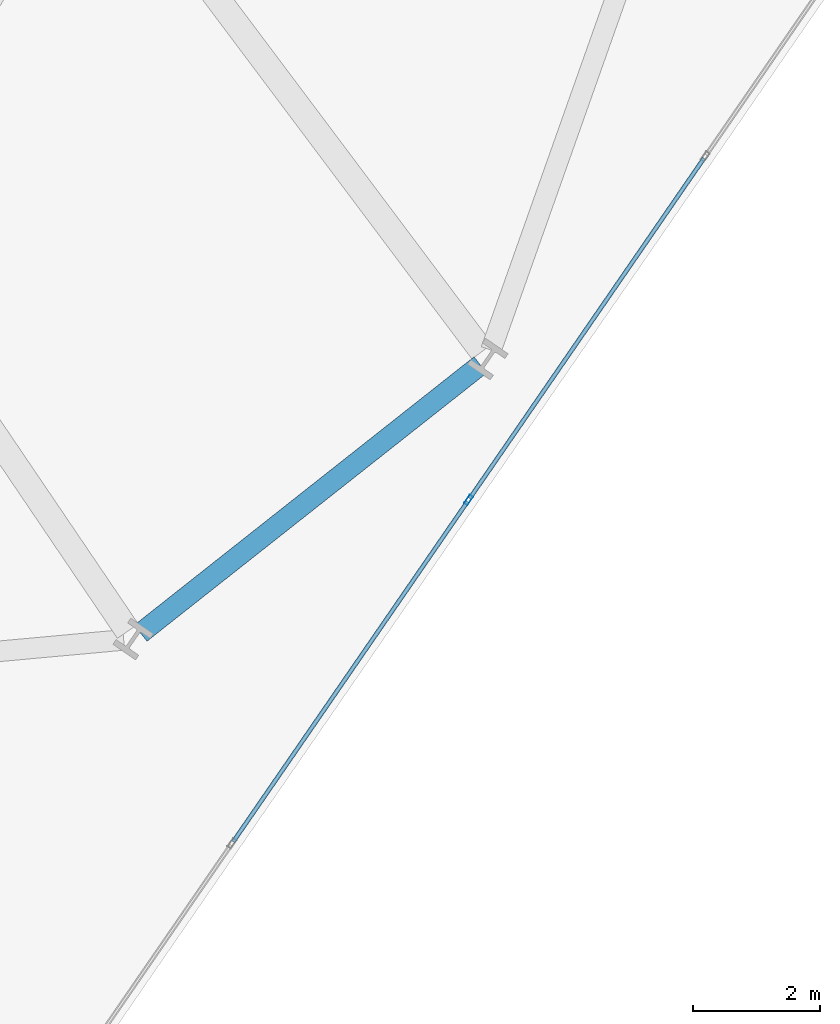
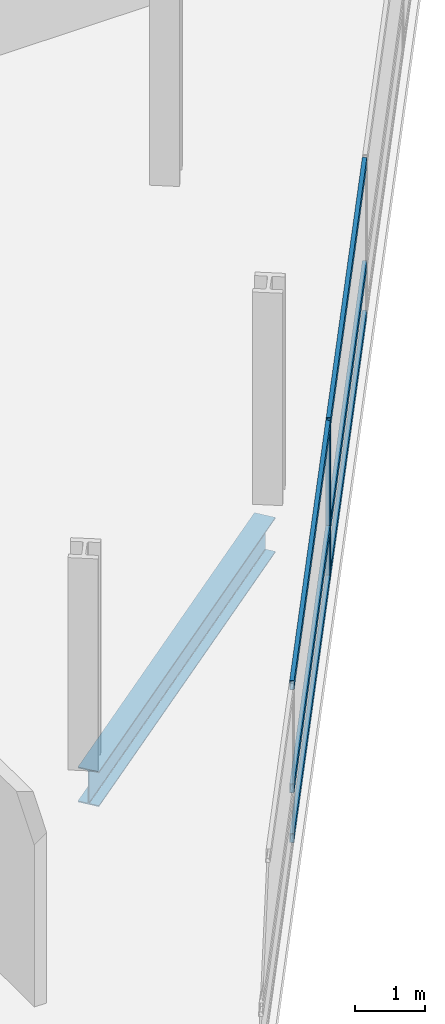
# One storey, part 7 of 25: 7 members, 1 beam, 1 element without a shape of its own.
"""IFC4 building model written with IfcOpenShell, lengths in metres."""

from ifc_helpers import new_model, si_unit, direction, frame, origin, origin_2d, place, context, subcontext, project, spatial, hollow_rectangle, i_section, extrude, material, layer, layer_set, material_profile, profile_set, type_object, element, aggregate, save


model = new_model("IFC4")

# Units and contexts
model_context = context("Model", 3, precision=1e-05, world=origin(), true_north=direction((0.0, 1.0)))
body_context = subcontext(model_context, "Body", "Model", "MODEL_VIEW")
ifc_project = project(units=[si_unit("LENGTHUNIT", "METRE"), si_unit("AREAUNIT", "SQUARE_METRE"), si_unit("VOLUMEUNIT", "CUBIC_METRE"), si_unit("PLANEANGLEUNIT", "RADIAN"), si_unit("MASSUNIT", "GRAM", prefix="KILO")], contexts=[model_context])

# Site, building, storey
site_placement = place(None, origin())
site = spatial("IfcSite", under=ifc_project, at=site_placement, CompositionType="ELEMENT")
building_placement = place(site_placement, origin())
building = spatial("IfcBuilding", under=site, at=building_placement, Name="Varnelok Gate Tower", CompositionType="ELEMENT")
storey_placement = place(building_placement, frame((0.0, 0.0, 34.39990234375)))
storey = spatial("IfcBuildingStorey", under=building, at=storey_placement, Name="L07", CompositionType="ELEMENT", Elevation=34.39990234375)

# Beam
ifc_material_1 = material(Name="Structural Steel ASTM A992 Grade 50", Category="steel")
ifc_material_profile_1 = material_profile(ifc_material_1, i_section(OverallWidth=0.323974609375, OverallDepth=0.611083984375, WebThickness=0.0126953125, FlangeThickness=0.01904296875, FilletRadius=0.01806640625, at=origin_2d()), Name="W24X104")
ifc_profile_set_1 = profile_set([ifc_material_profile_1], Name="Structural Steel ASTM A992 Grade 50")
beam_type = type_object("IfcBeamType", Name="BM-SPN-W24X104", PredefinedType="SPANDREL", material=ifc_profile_set_1)
beam_placement = place(storey_placement, frame((66.202392578125, 1.045654296875, -0.555419921875), z_axis=(0.784860761341, 0.619672159538, 0.0), x_axis=(-0.619672159538, 0.784860761341, 0.0)))
element("IfcBeam", 1, at=beam_placement, inside=storey, type_object=beam_type, Name="L07 Perimeter Spandrel Beam 6", PredefinedType="SPANDREL", context=body_context, shape_type="SweptSolid", body=[
    extrude(i_section(OverallWidth=0.323974609375, OverallDepth=0.611083984375, WebThickness=0.0126953125, FlangeThickness=0.01904296875, FilletRadius=0.01806640625, at=origin_2d()), origin(), (0.0, 0.0, 1.0), 6.81640625),
])

# Curtain wall, members
ifc_material_2 = material(Name="Anodized Aluminum Alloy 6063-T6", Category="aluminium")
ifc_layer = layer(ifc_material_2, 0.179931640625)
ifc_layer_set = layer_set([ifc_layer], Name="Anodized Aluminum Alloy 6063-T6")
curtain_wall_type = type_object("IfcCurtainWallType", Name="CW3-HOTEL-VISION", PredefinedType="USERDEFINED", material=ifc_layer_set)
curtain_wall_placement = place(storey_placement, origin())
curtain_wall = element("IfcCurtainWall", 2, at=curtain_wall_placement, inside=storey, type_object=curtain_wall_type, Name="L07 East End Vision Curtain Wall", ObjectType="UNITISED CURTAIN WALL", PredefinedType="USERDEFINED")
ifc_material_profile_2 = material_profile(ifc_material_2, hollow_rectangle(XDim=0.06494140625, YDim=0.159912109375, WallThickness=0.00390625, at=origin_2d()), Name="ALU160X65X4")
ifc_profile_set_2 = profile_set([ifc_material_profile_2], Name="Anodized Aluminum Alloy 6063-T6")
member_type_1 = type_object("IfcMemberType", Name="CW-MULL-160", PredefinedType="MULLION", material=ifc_profile_set_2)
member_1_placement = place(storey_placement, frame((71.3671875, 3.142578125, 0.0), z_axis=(0.0, 0.0, 1.0), x_axis=(0.823532685111, -0.567268822124, 0.0)))
member_1 = element("IfcMember", 3, at=member_1_placement, type_object=member_type_1, Name="CW3 mullion 4", PredefinedType="MULLION", context=body_context, shape_type="SweptSolid", body=[
    extrude(hollow_rectangle(XDim=0.06494140625, YDim=0.159912109375, WallThickness=0.00390625, at=origin_2d()), origin(), (0.0, 0.0, 1.0), 2.72998046875),
])
ifc_material_profile_3 = material_profile(ifc_material_2, hollow_rectangle(XDim=0.06494140625, YDim=0.159912109375, WallThickness=0.00390625, at=origin_2d()), Name="ALU160X65X4")
ifc_profile_set_3 = profile_set([ifc_material_profile_3], Name="Anodized Aluminum Alloy 6063-T6")
member_type_2 = type_object("IfcMemberType", Name="CW-TRAN-160", PredefinedType="USERDEFINED", material=ifc_profile_set_3)
member_2_placement = place(storey_placement, frame((75.07373046875, 8.523681640625, 0.03271484375), z_axis=(-0.56723619486, -0.82355515859, 0.0), x_axis=(0.82355515859, -0.56723619486, 0.0)))
member_2 = element("IfcMember", 4, at=member_2_placement, type_object=member_type_2, Name="CW3 transom 3.1", ObjectType="TRANSOM", PredefinedType="USERDEFINED", context=body_context, shape_type="SweptSolid", body=[
    extrude(hollow_rectangle(XDim=0.06494140625, YDim=0.159912109375, WallThickness=0.00390625, at=origin_2d()), origin(), (0.0, 0.0, 1.0), 6.501708984375),
])
member_3_placement = place(storey_placement, frame((75.07373046875, 8.523681640625, 0.900146484375), z_axis=(-0.56723619486, -0.82355515859, 0.0), x_axis=(0.82355515859, -0.56723619486, 0.0)))
member_3 = element("IfcMember", 5, at=member_3_placement, type_object=member_type_2, Name="CW3 transom 3.2", ObjectType="TRANSOM", PredefinedType="USERDEFINED", context=body_context, shape_type="SweptSolid", body=[
    extrude(hollow_rectangle(XDim=0.06494140625, YDim=0.159912109375, WallThickness=0.00390625, at=origin_2d()), origin(), (0.0, 0.0, 1.0), 6.501708984375),
])
member_4_placement = place(storey_placement, frame((75.07373046875, 8.523681640625, 2.697509765625), z_axis=(-0.56723619486, -0.82355515859, 0.0), x_axis=(0.82355515859, -0.56723619486, 0.0)))
member_4 = element("IfcMember", 6, at=member_4_placement, type_object=member_type_2, Name="CW3 transom 3.3", ObjectType="TRANSOM", PredefinedType="USERDEFINED", context=body_context, shape_type="SweptSolid", body=[
    extrude(hollow_rectangle(XDim=0.06494140625, YDim=0.159912109375, WallThickness=0.00390625, at=origin_2d()), origin(), (0.0, 0.0, 1.0), 6.501708984375),
])
member_5_placement = place(storey_placement, frame((71.348876953125, 3.11572265625, 0.03271484375), z_axis=(-0.567279204469, -0.823525533409, 0.0), x_axis=(0.823525533409, -0.567279204469, 0.0)))
member_5 = element("IfcMember", 7, at=member_5_placement, type_object=member_type_2, Name="CW3 transom 4.1", ObjectType="TRANSOM", PredefinedType="USERDEFINED", context=body_context, shape_type="SweptSolid", body=[
    extrude(hollow_rectangle(XDim=0.06494140625, YDim=0.159912109375, WallThickness=0.00390625, at=origin_2d()), origin(), (0.0, 0.0, 1.0), 6.501708984375),
])
member_6_placement = place(storey_placement, frame((71.348876953125, 3.11572265625, 0.900146484375), z_axis=(-0.567279204469, -0.823525533409, 0.0), x_axis=(0.823525533409, -0.567279204469, 0.0)))
member_6 = element("IfcMember", 8, at=member_6_placement, type_object=member_type_2, Name="CW3 transom 4.2", ObjectType="TRANSOM", PredefinedType="USERDEFINED", context=body_context, shape_type="SweptSolid", body=[
    extrude(hollow_rectangle(XDim=0.06494140625, YDim=0.159912109375, WallThickness=0.00390625, at=origin_2d()), origin(), (0.0, 0.0, 1.0), 6.501708984375),
])
member_7_placement = place(storey_placement, frame((71.348876953125, 3.11572265625, 2.697509765625), z_axis=(-0.567279204469, -0.823525533409, 0.0), x_axis=(0.823525533409, -0.567279204469, 0.0)))
member_7 = element("IfcMember", 9, at=member_7_placement, type_object=member_type_2, Name="CW3 transom 4.3", ObjectType="TRANSOM", PredefinedType="USERDEFINED", context=body_context, shape_type="SweptSolid", body=[
    extrude(hollow_rectangle(XDim=0.06494140625, YDim=0.159912109375, WallThickness=0.00390625, at=origin_2d()), origin(), (0.0, 0.0, 1.0), 6.501708984375),
])
aggregate(curtain_wall, [member_1, member_2, member_3, member_4, member_5, member_6, member_7])

save(model, "model.ifc")
